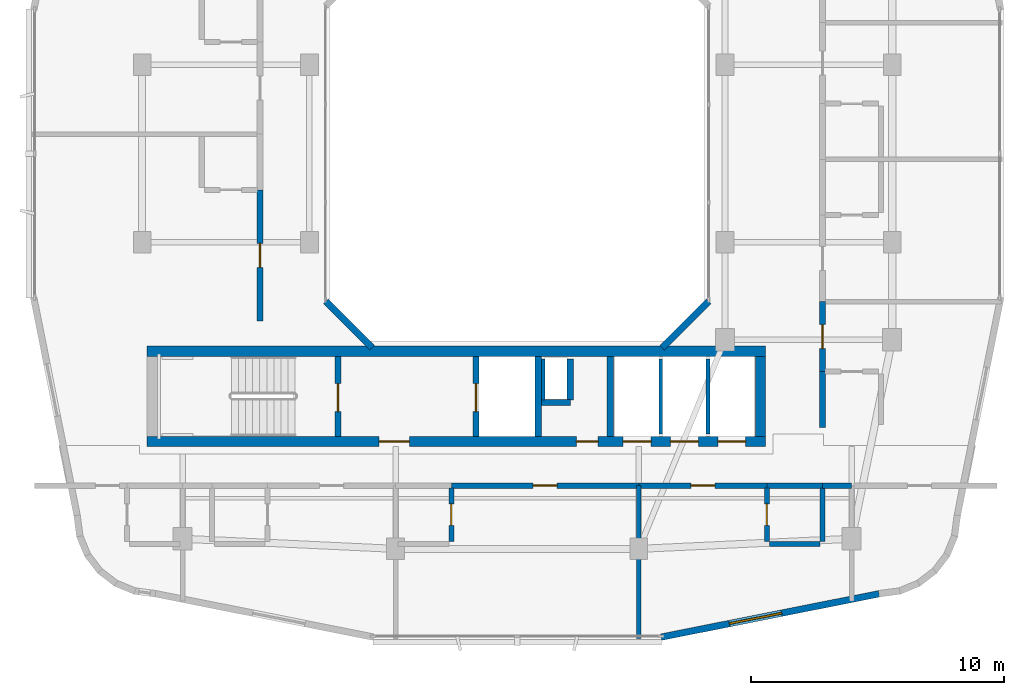
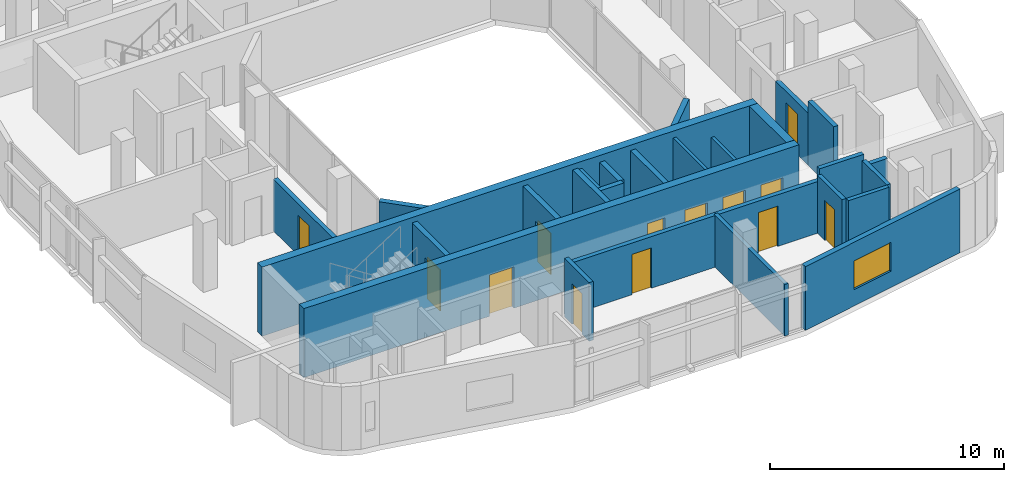
# One storey, part 7 of 14: 27 walls, 13 doors, 1 window, 14 openings.
"""IFC4 building model written with IfcOpenShell, lengths in metres."""

from ifc_helpers import new_model, si_unit, derived_unit, direction, frame, frame_2d, origin, place, context, subcontext, project, spatial, rectangle, extrude, material, layer, layer_set, type_object, element, fill, save


model = new_model("IFC4")

# Units and contexts
model_context = context("Model", 3, precision=1e-05, world=origin(), true_north=direction((0.0, 1.0)))
body_context = subcontext(model_context, "Body", "Model", "MODEL_VIEW")
ifc_project = project(units=[si_unit("LENGTHUNIT", "METRE"), si_unit("AREAUNIT", "SQUARE_METRE"), si_unit("VOLUMEUNIT", "CUBIC_METRE"), si_unit("PLANEANGLEUNIT", "RADIAN"), si_unit("MASSUNIT", "GRAM", prefix="KILO"), derived_unit("THERMALTRANSMITTANCEUNIT", [(si_unit("POWERUNIT", "WATT"), 1), (si_unit("LENGTHUNIT", "METRE"), -2), (si_unit("THERMODYNAMICTEMPERATUREUNIT", "KELVIN"), -1)])], contexts=[model_context])

# Site, building, storey
site_placement = place(None, origin())
site = spatial("IfcSite", under=ifc_project, at=site_placement, CompositionType="ELEMENT")
building_placement = place(site_placement, origin())
building = spatial("IfcBuilding", under=site, at=building_placement, Name="Kivonza Crest Hotel", CompositionType="ELEMENT")
storey_placement = place(building_placement, frame((0.0, 0.0, 224.300048828125)))
storey = spatial("IfcBuildingStorey", under=building, at=storey_placement, Name="L61", CompositionType="ELEMENT", Elevation=224.300048828125)

# Wall
ifc_material_1 = material(Name="High-density acoustic masonry inter-tenancy wall", Category="masonry")
ifc_layer_1 = layer(ifc_material_1, 0.179931640625)
ifc_layer_set_1 = layer_set([ifc_layer_1], Name="High-density acoustic masonry inter-tenancy wall")
wall_type_1 = type_object("IfcWallType", Name="WL-ACOU-180", PredefinedType="SOLIDWALL", material=ifc_layer_set_1)
wall_1_placement = place(storey_placement, frame((25.800048828125, 5.860107421875, 0.0), z_axis=(0.0, 0.0, 1.0), x_axis=(0.0, 1.0, 0.0)))
element("IfcWall", 1, at=wall_1_placement, inside=storey, type_object=wall_type_1, Name="L61 interior partition WA-L61-T1S-DIV3", PredefinedType="SOLIDWALL", context=body_context, shape_type="SweptSolid", body=[
    extrude(rectangle(XDim=6.039794921875, YDim=0.179931640625, at=frame_2d((3.02001953125, 0.0))), origin(), (0.0, 0.0, 1.0), 2.695068359375),
])

# Wall, opening, door
ifc_material_2 = material(Name="Autoclaved aerated concrete blockwork", Category="masonry")
ifc_layer_2 = layer(ifc_material_2, 0.219970703125)
ifc_layer_set_2 = layer_set([ifc_layer_2], Name="Autoclaved aerated concrete blockwork")
wall_type_2 = type_object("IfcWallType", Name="WL-ACOU-220", PredefinedType="SOLIDWALL", material=ifc_layer_set_2)
wall_2_placement = place(storey_placement, frame((18.39990234375, 11.89990234375, 0.0), z_axis=(0.0, 0.0, 1.0), x_axis=(1.0, 0.0, 0.0)))
wall_2 = element("IfcWall", 2, at=wall_2_placement, inside=storey, type_object=wall_type_2, Name="L61 interior partition WA-L61-S07-MCORR", PredefinedType="SOLIDWALL", context=body_context, shape_type="SweptSolid", body=[
    extrude(rectangle(XDim=7.400146484375, YDim=0.219970703125, at=frame_2d((3.7001953125, 0.0))), origin(), (0.0, 0.0, 1.0), 2.695068359375),
])
opening_1_placement = place(wall_2_placement, frame((3.22509765625, 0.0, 0.0)))
opening_1 = element("IfcOpeningElement", 3, at=opening_1_placement, cuts=wall_2, Name="Opening DU-60", PredefinedType="OPENING", context=body_context, shape_type="SweptSolid", body=[
    extrude(rectangle(XDim=0.949951171875, YDim=2.10009765625, at=frame_2d((0.47509765625, 1.050048828125))), frame((0.0, 0.1201171875, 0.0), z_axis=(0.0, -1.0, 0.0), x_axis=(1.0, 0.0, 0.0)), (0.0, 0.0, 1.0), 0.239990234375),
])
ifc_material_3 = material(Name="Hardwood timber oak", Category="wood")
door_type_1 = type_object("IfcDoorType", Name="DR-UNIT-950", OperationType="NOTDEFINED", PredefinedType="DOOR", material=ifc_material_3)
door_1_placement = place(opening_1_placement, frame((0.949951171875, 0.0, 0.0), z_axis=(0.0, 0.0, 1.0), x_axis=(-1.0, 0.0, 0.0)))
door_1 = element("IfcDoor", 4, at=door_1_placement, inside=storey, type_object=door_type_1, Name="L61 S07 guest unit entrance fire door", OperationType="SINGLE_SWING_LEFT", OverallHeight=2.10009765625, OverallWidth=0.949951171875, PredefinedType="DOOR", context=body_context, shape_type="SweptSolid", body=[
    extrude(rectangle(XDim=0.949951171875, YDim=2.10009765625, at=frame_2d((0.47509765625, 1.050048828125))), frame((0.0, 0.02490234375, 0.0), z_axis=(0.0, -1.0, 0.0), x_axis=(1.0, 0.0, 0.0)), (0.0, 0.0, 1.0), 0.050048828125),
])
fill(opening_1, door_1)

# Walls
wall_3_placement = place(storey_placement, frame((33.050048828125, 11.89990234375, 0.0), z_axis=(0.0, 0.0, 1.0), x_axis=(1.0, 0.0, 0.0)))
element("IfcWall", 5, at=wall_3_placement, inside=storey, type_object=wall_type_2, Name="L61 interior partition WA-L61-S08-XCORR", PredefinedType="SOLIDWALL", context=body_context, shape_type="SweptSolid", body=[
    extrude(rectangle(XDim=1.14990234375, YDim=0.219970703125, at=frame_2d((0.574951171875, 0.0))), origin(), (0.0, 0.0, 1.0), 2.695068359375),
])
wall_4_placement = place(storey_placement, frame((30.85009765625, 11.89990234375, 0.0), z_axis=(0.0, 0.0, 1.0), x_axis=(1.0, 0.0, 0.0)))
element("IfcWall", 6, at=wall_4_placement, inside=storey, type_object=wall_type_2, Name="L61 interior partition WA-L61-S08-BCORR", PredefinedType="SOLIDWALL", context=body_context, shape_type="SweptSolid", body=[
    extrude(rectangle(XDim=2.199951171875, YDim=0.219970703125, at=frame_2d((1.10009765625, 0.0))), origin(), (0.0, 0.0, 1.0), 3.320068359375),
])

# Wall, opening, door
wall_5_placement = place(storey_placement, frame((25.800048828125, 11.89990234375, 0.0), z_axis=(0.0, 0.0, 1.0), x_axis=(1.0, 0.0, 0.0)))
wall_5 = element("IfcWall", 7, at=wall_5_placement, inside=storey, type_object=wall_type_2, Name="L61 interior partition WA-L61-S08-MCORR", PredefinedType="SOLIDWALL", context=body_context, shape_type="SweptSolid", body=[
    extrude(rectangle(XDim=5.050048828125, YDim=0.219970703125, at=frame_2d((2.52490234375, 0.0))), origin(), (0.0, 0.0, 1.0), 2.695068359375),
])
opening_2_placement = place(wall_5_placement, frame((2.050048828125, 0.0, 0.0)))
opening_2 = element("IfcOpeningElement", 8, at=opening_2_placement, cuts=wall_5, Name="Opening DU-60", PredefinedType="OPENING", context=body_context, shape_type="SweptSolid", body=[
    extrude(rectangle(XDim=0.949951171875, YDim=2.10009765625, at=frame_2d((0.47509765625, 1.050048828125))), frame((0.0, 0.1201171875, 0.0), z_axis=(0.0, -1.0, 0.0), x_axis=(1.0, 0.0, 0.0)), (0.0, 0.0, 1.0), 0.239990234375),
])
door_2_placement = place(opening_2_placement, frame((0.949951171875, 0.0, 0.0), z_axis=(0.0, 0.0, 1.0), x_axis=(-1.0, 0.0, 0.0)))
door_2 = element("IfcDoor", 9, at=door_2_placement, inside=storey, type_object=door_type_1, Name="L61 S08 guest unit entrance fire door", OperationType="SINGLE_SWING_RIGHT", OverallHeight=2.10009765625, OverallWidth=0.949951171875, PredefinedType="DOOR", context=body_context, shape_type="SweptSolid", body=[
    extrude(rectangle(XDim=0.949951171875, YDim=2.10009765625, at=frame_2d((0.47509765625, 1.050048828125))), frame((0.0, 0.02490234375, 0.0), z_axis=(0.0, -1.0, 0.0), x_axis=(1.0, 0.0, 0.0)), (0.0, 0.0, 1.0), 0.050048828125),
])
fill(opening_2, door_2)

wall_6_placement = place(storey_placement, frame((10.85009765625, 18.39990234375, 0.0), z_axis=(0.0, 0.0, 1.0), x_axis=(0.0, 1.0, 0.0)))
wall_6 = element("IfcWall", 10, at=wall_6_placement, inside=storey, type_object=wall_type_2, Name="L61 interior partition WA-L61-W09-MCORR", PredefinedType="SOLIDWALL", context=body_context, shape_type="SweptSolid", body=[
    extrude(rectangle(XDim=5.170166015625, YDim=0.219970703125, at=frame_2d((2.5849609375, 0.0))), origin(), (0.0, 0.0, 1.0), 2.695068359375),
])
opening_3_placement = place(wall_6_placement, frame((2.110107421875, 0.0, 0.0)))
opening_3 = element("IfcOpeningElement", 11, at=opening_3_placement, cuts=wall_6, Name="Opening DU-60", PredefinedType="OPENING", context=body_context, shape_type="SweptSolid", body=[
    extrude(rectangle(XDim=0.949951171875, YDim=2.10009765625, at=frame_2d((0.47509765625, 1.050048828125))), frame((0.0, 0.1201171875, 0.0), z_axis=(0.0, -1.0, 0.0), x_axis=(1.0, 0.0, 0.0)), (0.0, 0.0, 1.0), 0.239990234375),
])
door_3_placement = place(opening_3_placement, origin())
door_3 = element("IfcDoor", 12, at=door_3_placement, inside=storey, type_object=door_type_1, Name="L61 W09 guest unit entrance fire door", OperationType="SINGLE_SWING_LEFT", OverallHeight=2.10009765625, OverallWidth=0.949951171875, PredefinedType="DOOR", context=body_context, shape_type="SweptSolid", body=[
    extrude(rectangle(XDim=0.949951171875, YDim=2.10009765625, at=frame_2d((0.47509765625, 1.050048828125))), frame((0.0, 0.02490234375, 0.0), z_axis=(0.0, -1.0, 0.0), x_axis=(1.0, 0.0, 0.0)), (0.0, 0.0, 1.0), 0.050048828125),
])
fill(opening_3, door_3)

# Wall
wall_7_placement = place(storey_placement, frame((33.050048828125, 14.199951171875, 0.0), z_axis=(0.0, 0.0, 1.0), x_axis=(0.0, 1.0, 0.0)))
element("IfcWall", 13, at=wall_7_placement, inside=storey, type_object=wall_type_2, Name="L61 interior partition WA-L61-E11-BCORR", PredefinedType="SOLIDWALL", context=body_context, shape_type="SweptSolid", body=[
    extrude(rectangle(XDim=2.199951171875, YDim=0.219970703125, at=frame_2d((1.10009765625, 0.0))), origin(), (0.0, 0.0, 1.0), 3.320068359375),
])

# Wall, opening, door
wall_8_placement = place(storey_placement, frame((33.050048828125, 16.39990234375, 0.0), z_axis=(0.0, 0.0, 1.0), x_axis=(0.0, 1.0, 0.0)))
wall_8 = element("IfcWall", 14, at=wall_8_placement, inside=storey, type_object=wall_type_2, Name="L61 interior partition WA-L61-E11-MCORR", PredefinedType="SOLIDWALL", context=body_context, shape_type="SweptSolid", body=[
    extrude(rectangle(XDim=2.756103515625, YDim=0.219970703125, at=frame_2d((1.3779296875, 0.0))), origin(), (0.0, 0.0, 1.0), 2.695068359375),
])
opening_4_placement = place(wall_8_placement, frame((0.903076171875, 0.0, 0.0)))
opening_4 = element("IfcOpeningElement", 15, at=opening_4_placement, cuts=wall_8, Name="Opening DU-60", PredefinedType="OPENING", context=body_context, shape_type="SweptSolid", body=[
    extrude(rectangle(XDim=0.949951171875, YDim=2.10009765625, at=frame_2d((0.47509765625, 1.050048828125))), frame((0.0, 0.1201171875, 0.0), z_axis=(0.0, -1.0, 0.0), x_axis=(1.0, 0.0, 0.0)), (0.0, 0.0, 1.0), 0.239990234375),
])
door_4_placement = place(opening_4_placement, frame((0.949951171875, 0.0, 0.0), z_axis=(0.0, 0.0, 1.0), x_axis=(-1.0, 0.0, 0.0)))
door_4 = element("IfcDoor", 16, at=door_4_placement, inside=storey, type_object=door_type_1, Name="L61 E11 guest unit entrance fire door", OperationType="SINGLE_SWING_LEFT", OverallHeight=2.10009765625, OverallWidth=0.949951171875, PredefinedType="DOOR", context=body_context, shape_type="SweptSolid", body=[
    extrude(rectangle(XDim=0.949951171875, YDim=2.10009765625, at=frame_2d((0.47509765625, 1.050048828125))), frame((0.0, 0.02490234375, 0.0), z_axis=(0.0, -1.0, 0.0), x_axis=(1.0, 0.0, 0.0)), (0.0, 0.0, 1.0), 0.050048828125),
])
fill(opening_4, door_4)

# Wall, openings, doors
ifc_material_4 = material(Name="Concrete C50/60", Category="concrete")
ifc_layer_3 = layer(ifc_material_4, 0.39990234375)
ifc_layer_set_3 = layer_set([ifc_layer_3], Name="Concrete C50/60")
wall_type_3 = type_object("IfcWallType", Name="WL-CORE-400", PredefinedType="SHEAR", material=ifc_layer_set_3)
wall_9_placement = place(storey_placement, frame((6.39990234375, 13.639892578125, 0.0), z_axis=(0.0, 0.0, 1.0), x_axis=(1.0, 0.0, 0.0)))
wall_9 = element("IfcWall", 17, at=wall_9_placement, inside=storey, type_object=wall_type_3, Name="Core wall T1-S South L61", PredefinedType="SHEAR", context=body_context, shape_type="SweptSolid", body=[
    extrude(rectangle(XDim=24.400146484375, YDim=0.39990234375, at=frame_2d((12.2001953125, 0.0))), origin(), (0.0, 0.0, 1.0), 3.599853515625),
])
opening_5_placement = place(wall_9_placement, frame((9.14990234375, 0.0, 0.0)))
opening_5 = element("IfcOpeningElement", 18, at=opening_5_placement, cuts=wall_9, Name="Opening DF-60", PredefinedType="OPENING", context=body_context, shape_type="SweptSolid", body=[
    extrude(rectangle(XDim=1.199951171875, YDim=2.14990234375, at=frame_2d((0.60009765625, 1.074951171875))), frame((0.0, 0.2099609375, 0.0), z_axis=(0.0, -1.0, 0.0), x_axis=(1.0, 0.0, 0.0)), (0.0, 0.0, 1.0), 0.419921875),
])
opening_6_placement = place(wall_9_placement, frame((16.93994140625, 0.0, 0.0)))
opening_6 = element("IfcOpeningElement", 19, at=opening_6_placement, cuts=wall_9, Name="Opening DF-60R", PredefinedType="OPENING", context=body_context, shape_type="SweptSolid", body=[
    extrude(rectangle(XDim=0.85009765625, YDim=2.10009765625, at=frame_2d((0.425048828125, 1.050048828125))), frame((0.0, 0.2099609375, 0.0), z_axis=(0.0, -1.0, 0.0), x_axis=(1.0, 0.0, 0.0)), (0.0, 0.0, 1.0), 0.419921875),
])
opening_7_placement = place(wall_9_placement, frame((18.782958984375, 0.0, 0.0)))
opening_7 = element("IfcOpeningElement", 20, at=opening_7_placement, cuts=wall_9, Name="Opening LD-120", PredefinedType="OPENING", context=body_context, shape_type="SweptSolid", body=[
    extrude(rectangle(XDim=1.10009765625, YDim=2.14990234375, at=frame_2d((0.550048828125, 1.074951171875))), frame((0.0, 0.2099609375, 0.0), z_axis=(0.0, -1.0, 0.0), x_axis=(1.0, 0.0, 0.0)), (0.0, 0.0, 1.0), 0.419921875),
])
opening_8_placement = place(wall_9_placement, frame((20.64990234375, 0.0, 0.0)))
opening_8 = element("IfcOpeningElement", 21, at=opening_8_placement, cuts=wall_9, Name="Opening LD-120", PredefinedType="OPENING", context=body_context, shape_type="SweptSolid", body=[
    extrude(rectangle(XDim=1.10009765625, YDim=2.14990234375, at=frame_2d((0.550048828125, 1.074951171875))), frame((0.0, 0.2099609375, 0.0), z_axis=(0.0, -1.0, 0.0), x_axis=(1.0, 0.0, 0.0)), (0.0, 0.0, 1.0), 0.419921875),
])
opening_9_placement = place(wall_9_placement, frame((22.51708984375, 0.0, 0.0)))
opening_9 = element("IfcOpeningElement", 22, at=opening_9_placement, cuts=wall_9, Name="Opening LD-120", PredefinedType="OPENING", context=body_context, shape_type="SweptSolid", body=[
    extrude(rectangle(XDim=1.10009765625, YDim=2.14990234375, at=frame_2d((0.550048828125, 1.074951171875))), frame((0.0, 0.2099609375, 0.0), z_axis=(0.0, -1.0, 0.0), x_axis=(1.0, 0.0, 0.0)), (0.0, 0.0, 1.0), 0.419921875),
])
door_type_2 = type_object("IfcDoorType", Name="DR-FD60-1200", OperationType="NOTDEFINED", PredefinedType="DOOR", material=ifc_material_3)
door_5_placement = place(opening_5_placement, frame((1.199951171875, 0.0, 0.0), z_axis=(0.0, 0.0, 1.0), x_axis=(-1.0, 0.0, 0.0)))
door_5 = element("IfcDoor", 23, at=door_5_placement, inside=storey, type_object=door_type_2, Name="L61 T1-S firefighting lobby fire door", OperationType="SINGLE_SWING_LEFT", OverallHeight=2.14990234375, OverallWidth=1.199951171875, PredefinedType="DOOR", context=body_context, shape_type="SweptSolid", body=[
    extrude(rectangle(XDim=1.199951171875, YDim=2.14990234375, at=frame_2d((0.60009765625, 1.074951171875))), frame((0.0, 0.02490234375, 0.0), z_axis=(0.0, -1.0, 0.0), x_axis=(1.0, 0.0, 0.0)), (0.0, 0.0, 1.0), 0.050048828125),
])
fill(opening_5, door_5)
door_type_3 = type_object("IfcDoorType", Name="DR-FD60-850", OperationType="NOTDEFINED", PredefinedType="DOOR", material=ifc_material_3)
door_6_placement = place(opening_6_placement, frame((0.85009765625, 0.0, 0.0), z_axis=(0.0, 0.0, 1.0), x_axis=(-1.0, 0.0, 0.0)))
door_6 = element("IfcDoor", 24, at=door_6_placement, inside=storey, type_object=door_type_3, Name="L61 T1-S core room door", OperationType="SINGLE_SWING_RIGHT", OverallHeight=2.10009765625, OverallWidth=0.85009765625, PredefinedType="DOOR", context=body_context, shape_type="SweptSolid", body=[
    extrude(rectangle(XDim=0.85009765625, YDim=2.10009765625, at=frame_2d((0.425048828125, 1.050048828125))), frame((0.0, 0.02490234375, 0.0), z_axis=(0.0, -1.0, 0.0), x_axis=(1.0, 0.0, 0.0)), (0.0, 0.0, 1.0), 0.050048828125),
])
fill(opening_6, door_6)
ifc_material_5 = material(Name="Stainless steel", Category="steel")
door_type_4 = type_object("IfcDoorType", Name="DR-LD120-1100", OperationType="NOTDEFINED", PredefinedType="DOOR", material=ifc_material_5)
door_7_placement = place(opening_7_placement, frame((1.10009765625, 0.0, 0.0), z_axis=(0.0, 0.0, 1.0), x_axis=(-1.0, 0.0, 0.0)))
door_7 = element("IfcDoor", 25, at=door_7_placement, inside=storey, type_object=door_type_4, Name="L61 PL-T1-H1 passenger lift sliding landing door", OperationType="DOUBLE_DOOR_SLIDING", OverallHeight=2.14990234375, OverallWidth=1.10009765625, PredefinedType="DOOR", context=body_context, shape_type="SweptSolid", body=[
    extrude(rectangle(XDim=1.10009765625, YDim=2.14990234375, at=frame_2d((0.550048828125, 1.074951171875))), frame((0.0, 0.02490234375, 0.0), z_axis=(0.0, -1.0, 0.0), x_axis=(1.0, 0.0, 0.0)), (0.0, 0.0, 1.0), 0.050048828125),
])
fill(opening_7, door_7)
door_8_placement = place(opening_8_placement, frame((1.10009765625, 0.0, 0.0), z_axis=(0.0, 0.0, 1.0), x_axis=(-1.0, 0.0, 0.0)))
door_8 = element("IfcDoor", 26, at=door_8_placement, inside=storey, type_object=door_type_4, Name="L61 PL-T1-H2 passenger lift sliding landing door", OperationType="DOUBLE_DOOR_SLIDING", OverallHeight=2.14990234375, OverallWidth=1.10009765625, PredefinedType="DOOR", context=body_context, shape_type="SweptSolid", body=[
    extrude(rectangle(XDim=1.10009765625, YDim=2.14990234375, at=frame_2d((0.550048828125, 1.074951171875))), frame((0.0, 0.02490234375, 0.0), z_axis=(0.0, -1.0, 0.0), x_axis=(1.0, 0.0, 0.0)), (0.0, 0.0, 1.0), 0.050048828125),
])
fill(opening_8, door_8)
door_9_placement = place(opening_9_placement, frame((1.10009765625, 0.0, 0.0), z_axis=(0.0, 0.0, 1.0), x_axis=(-1.0, 0.0, 0.0)))
door_9 = element("IfcDoor", 27, at=door_9_placement, inside=storey, type_object=door_type_4, Name="L61 PL-T1-H3 passenger lift sliding landing door", OperationType="DOUBLE_DOOR_SLIDING", OverallHeight=2.14990234375, OverallWidth=1.10009765625, PredefinedType="DOOR", context=body_context, shape_type="SweptSolid", body=[
    extrude(rectangle(XDim=1.10009765625, YDim=2.14990234375, at=frame_2d((0.550048828125, 1.074951171875))), frame((0.0, 0.02490234375, 0.0), z_axis=(0.0, -1.0, 0.0), x_axis=(1.0, 0.0, 0.0)), (0.0, 0.0, 1.0), 0.050048828125),
])
fill(opening_9, door_9)

# Walls
wall_10_placement = place(storey_placement, frame((6.39990234375, 17.199951171875, 0.0), z_axis=(0.0, 0.0, 1.0), x_axis=(1.0, 0.0, 0.0)))
element("IfcWall", 28, at=wall_10_placement, inside=storey, type_object=wall_type_3, Name="Core wall T1-S North L61", PredefinedType="SHEAR", context=body_context, shape_type="SweptSolid", body=[
    extrude(rectangle(XDim=24.400146484375, YDim=0.39990234375, at=frame_2d((12.2001953125, 0.0))), origin(), (0.0, 0.0, 1.0), 3.599853515625),
])
wall_11_placement = place(storey_placement, frame((30.60009765625, 13.840087890625, 0.0), z_axis=(0.0, 0.0, 1.0), x_axis=(0.0, 1.0, 0.0)))
element("IfcWall", 29, at=wall_11_placement, inside=storey, type_object=wall_type_3, Name="Core wall T1-S East L61", PredefinedType="SHEAR", context=body_context, shape_type="SweptSolid", body=[
    extrude(rectangle(XDim=3.159912109375, YDim=0.39990234375, at=frame_2d((1.580078125, 0.0))), origin(), (0.0, 0.0, 1.0), 3.599853515625),
])

# Wall, opening, window
ifc_material_6 = material(Name="Precast concrete C40/50", Category="concrete")
ifc_layer_4 = layer(ifc_material_6, 0.260009765625)
ifc_layer_set_4 = layer_set([ifc_layer_4], Name="Precast concrete C40/50")
wall_type_4 = type_object("IfcWallType", Name="WL-EXT-260", PredefinedType="STANDARD", material=ifc_layer_set_4)
wall_12_placement = place(storey_placement, frame((26.680908203125, 5.916015625, 0.0), z_axis=(0.0, 0.0, 1.0), x_axis=(0.980745199176, 0.195291715883, 0.0)))
wall_12 = element("IfcWall", 30, at=wall_12_placement, inside=storey, type_object=wall_type_4, Name="L61 T1 exterior insulated wall 9", PredefinedType="STANDARD", context=body_context, shape_type="SweptSolid", body=[
    extrude(rectangle(XDim=8.77099609375, YDim=0.260009765625, at=frame_2d((4.385498046875, 0.0))), origin(), (0.0, 0.0, 1.0), 3.320068359375),
])
opening_10_placement = place(wall_12_placement, frame((2.74609375, 0.0, 0.85009765625)))
opening_10 = element("IfcOpeningElement", 31, at=opening_10_placement, cuts=wall_12, Name="Opening WN-04", PredefinedType="OPENING", context=body_context, shape_type="SweptSolid", body=[
    extrude(rectangle(XDim=2.10009765625, YDim=1.5, at=frame_2d((1.050048828125, 0.75))), frame((0.0, 0.14013671875, 0.0), z_axis=(0.0, -1.0, 0.0), x_axis=(1.0, 0.0, 0.0)), (0.0, 0.0, 1.0), 0.280029296875),
])
ifc_material_7 = material(Name="Thermally broken bronze aluminium and low-E double glazing", Category="aluminium")
window_type = type_object("IfcWindowType", Name="WN-210x150", PartitioningType="DOUBLE_PANEL_VERTICAL", PredefinedType="WINDOW", material=ifc_material_7)
window_placement = place(opening_10_placement, origin())
window = element("IfcWindow", 32, at=window_placement, inside=storey, type_object=window_type, Name="L61 T1 facade window 9", OverallHeight=1.5, OverallWidth=2.10009765625, PartitioningType="SINGLE_PANEL", PredefinedType="WINDOW", context=body_context, shape_type="SweptSolid", body=[
    extrude(rectangle(XDim=2.10009765625, YDim=1.5, at=frame_2d((1.050048828125, 0.75))), frame((0.0, 0.030029296875, 0.0), z_axis=(0.0, -1.0, 0.0), x_axis=(1.0, 0.0, 0.0)), (0.0, 0.0, 1.0), 0.06005859375),
])
fill(opening_10, window)

# Walls
for number, where, z_axis, x_axis, name in (
    (33, (26.721923828125, 17.337890625, 0.0), (0.0, 0.0, 1.0), (0.707059717605, 0.707153841636, 0.0), "L61 T1 light-well exterior wall 2"),
    (34, (13.444091796875, 19.172119140625, 0.0), (0.0, 0.0, 1.0), (0.707059717605, -0.707153841636, 0.0), "L61 T1 light-well exterior wall 8"),
):
    element("IfcWall", number, at=place(storey_placement, frame(where, z_axis=z_axis, x_axis=x_axis)), inside=storey, type_object=wall_type_4, Name=name, PredefinedType="STANDARD", context=body_context, shape_type="SweptSolid", body=[
        extrude(rectangle(XDim=2.59375, YDim=0.260009765625, at=frame_2d((1.296875, 0.0))), origin(), (0.0, 0.0, 1.0), 3.320068359375),
    ])
ifc_material_8 = material(Name="Concrete blockwork fire-compartment wall", Category="masonry")
ifc_layer_5 = layer(ifc_material_8, 0.25)
ifc_layer_set_5 = layer_set([ifc_layer_5], Name="Concrete blockwork fire-compartment wall")
wall_type_5 = type_object("IfcWallType", Name="WL-FIRE-250", PredefinedType="SOLIDWALL", material=ifc_layer_set_5)
wall_13_placement = place(storey_placement, frame((23.10009765625, 15.280029296875, 0.0), z_axis=(0.0, 0.0, 1.0), x_axis=(0.0, 1.0, 0.0)))
element("IfcWall", 35, at=wall_13_placement, inside=storey, type_object=wall_type_5, Name="L61 interior partition WA-L61-T1-S-MEPR-E", PredefinedType="SOLIDWALL", context=body_context, shape_type="SweptSolid", body=[
    extrude(rectangle(XDim=1.619873046875, YDim=0.25, at=frame_2d((0.81005859375, 0.0))), origin(), (0.0, 0.0, 1.0), 3.320068359375),
])
wall_14_placement = place(storey_placement, frame((21.949951171875, 15.179931640625, 0.0), z_axis=(0.0, 0.0, 1.0), x_axis=(1.0, 0.0, 0.0)))
element("IfcWall", 36, at=wall_14_placement, inside=storey, type_object=wall_type_5, Name="L61 interior partition WA-L61-T1-S-MEPR-H", PredefinedType="SOLIDWALL", context=body_context, shape_type="SweptSolid", body=[
    extrude(rectangle(XDim=1.150146484375, YDim=0.25, at=frame_2d((0.5751953125, 0.0))), origin(), (0.0, 0.0, 1.0), 3.320068359375),
])
ifc_material_9 = material(Name="Twin-stud acoustic gypsum board partition", Category="gypsum")
ifc_layer_6 = layer(ifc_material_9, 0.14990234375)
ifc_layer_set_6 = layer_set([ifc_layer_6], Name="Twin-stud acoustic gypsum board partition")
wall_type_6 = type_object("IfcWallType", Name="WL-PART-150", PredefinedType="PARTITIONING", material=ifc_layer_set_6)
wall_15_placement = place(storey_placement, frame((22.030029296875, 15.280029296875, 0.0), z_axis=(0.0, 0.0, 1.0), x_axis=(0.0, 1.0, 0.0)))
element("IfcWall", 37, at=wall_15_placement, inside=storey, type_object=wall_type_6, Name="L61 interior partition WA-L61-T1-S-MEPR-W", PredefinedType="PARTITIONING", context=body_context, shape_type="SweptSolid", body=[
    extrude(rectangle(XDim=1.619873046875, YDim=0.14990234375, at=frame_2d((0.81005859375, 0.0))), origin(), (0.0, 0.0, 1.0), 3.320068359375),
])
wall_16_placement = place(storey_placement, frame((26.6669921875, 13.93994140625, 0.0), z_axis=(0.0, 0.0, 1.0), x_axis=(0.0, 1.0, 0.0)))
element("IfcWall", 38, at=wall_16_placement, inside=storey, type_object=wall_type_6, Name="L61 interior partition WP-L61-T1-S-BSH-1", PredefinedType="PARTITIONING", context=body_context, shape_type="SweptSolid", body=[
    extrude(rectangle(XDim=2.9599609375, YDim=0.14990234375, at=frame_2d((1.47998046875, 0.0))), origin(), (0.0, 0.0, 1.0), 3.320068359375),
])
wall_17_placement = place(storey_placement, frame((28.532958984375, 13.93994140625, 0.0), z_axis=(0.0, 0.0, 1.0), x_axis=(0.0, 1.0, 0.0)))
element("IfcWall", 39, at=wall_17_placement, inside=storey, type_object=wall_type_6, Name="L61 interior partition WP-L61-T1-S-BSH-2", PredefinedType="PARTITIONING", context=body_context, shape_type="SweptSolid", body=[
    extrude(rectangle(XDim=2.9599609375, YDim=0.14990234375, at=frame_2d((1.47998046875, 0.0))), origin(), (0.0, 0.0, 1.0), 2.695068359375),
])

# Wall, opening, door
ifc_material_10 = material(Name="Moisture-resistant plumbing chase partition wall", Category="gypsum")
ifc_layer_7 = layer(ifc_material_10, 0.199951171875)
ifc_layer_set_7 = layer_set([ifc_layer_7], Name="Moisture-resistant plumbing chase partition wall")
wall_type_7 = type_object("IfcWallType", Name="WL-PLUMB-200", PredefinedType="PLUMBINGWALL", material=ifc_layer_set_7)
wall_18_placement = place(storey_placement, frame((18.39990234375, 9.699951171875, 0.0), z_axis=(0.0, 0.0, 1.0), x_axis=(0.0, 1.0, 0.0)))
wall_18 = element("IfcWall", 40, at=wall_18_placement, inside=storey, type_object=wall_type_7, Name="L61 interior partition WW-L61-S07-BV", PredefinedType="PLUMBINGWALL", context=body_context, shape_type="SweptSolid", body=[
    extrude(rectangle(XDim=2.10009765625, YDim=0.199951171875, at=frame_2d((1.050048828125, 0.0))), origin(), (0.0, 0.0, 1.0), 3.054931640625),
])
opening_11_placement = place(wall_18_placement, frame((0.625, 0.0, 0.0)))
opening_11 = element("IfcOpeningElement", 41, at=opening_11_placement, cuts=wall_18, Name="Opening DI-85", PredefinedType="OPENING", context=body_context, shape_type="SweptSolid", body=[
    extrude(rectangle(XDim=0.85009765625, YDim=2.10009765625, at=frame_2d((0.425048828125, 1.050048828125))), frame((0.0, 0.10986328125, 0.0), z_axis=(0.0, -1.0, 0.0), x_axis=(1.0, 0.0, 0.0)), (0.0, 0.0, 1.0), 0.219970703125),
])
door_type_5 = type_object("IfcDoorType", Name="DR-INT-850", OperationType="NOTDEFINED", PredefinedType="DOOR", material=ifc_material_3)
door_10_placement = place(opening_11_placement, frame((0.85009765625, 0.0, 0.0), z_axis=(0.0, 0.0, 1.0), x_axis=(-1.0, 0.0, 0.0)))
door_10 = element("IfcDoor", 42, at=door_10_placement, inside=storey, type_object=door_type_5, Name="L61 S07 en-suite bathroom door", OperationType="SINGLE_SWING_RIGHT", OverallHeight=2.10009765625, OverallWidth=0.85009765625, PredefinedType="DOOR", context=body_context, shape_type="SweptSolid", body=[
    extrude(rectangle(XDim=0.85009765625, YDim=2.10009765625, at=frame_2d((0.425048828125, 1.050048828125))), frame((0.0, 0.02490234375, 0.0), z_axis=(0.0, -1.0, 0.0), x_axis=(1.0, 0.0, 0.0)), (0.0, 0.0, 1.0), 0.050048828125),
])
fill(opening_11, door_10)

wall_19_placement = place(storey_placement, frame((30.85009765625, 9.699951171875, 0.0), z_axis=(0.0, 0.0, 1.0), x_axis=(0.0, 1.0, 0.0)))
wall_19 = element("IfcWall", 43, at=wall_19_placement, inside=storey, type_object=wall_type_7, Name="L61 interior partition WW-L61-S08-BV", PredefinedType="PLUMBINGWALL", context=body_context, shape_type="SweptSolid", body=[
    extrude(rectangle(XDim=2.10009765625, YDim=0.199951171875, at=frame_2d((1.050048828125, 0.0))), origin(), (0.0, 0.0, 1.0), 3.014892578125),
])
opening_12_placement = place(wall_19_placement, frame((0.625, 0.0, 0.0)))
opening_12 = element("IfcOpeningElement", 44, at=opening_12_placement, cuts=wall_19, Name="Opening DI-85", PredefinedType="OPENING", context=body_context, shape_type="SweptSolid", body=[
    extrude(rectangle(XDim=0.85009765625, YDim=2.10009765625, at=frame_2d((0.425048828125, 1.050048828125))), frame((0.0, 0.10986328125, 0.0), z_axis=(0.0, -1.0, 0.0), x_axis=(1.0, 0.0, 0.0)), (0.0, 0.0, 1.0), 0.219970703125),
])
door_11_placement = place(opening_12_placement, origin())
door_11 = element("IfcDoor", 45, at=door_11_placement, inside=storey, type_object=door_type_5, Name="L61 S08 en-suite bathroom door", OperationType="SINGLE_SWING_LEFT", OverallHeight=2.10009765625, OverallWidth=0.85009765625, PredefinedType="DOOR", context=body_context, shape_type="SweptSolid", body=[
    extrude(rectangle(XDim=0.85009765625, YDim=2.10009765625, at=frame_2d((0.425048828125, 1.050048828125))), frame((0.0, 0.02490234375, 0.0), z_axis=(0.0, -1.0, 0.0), x_axis=(1.0, 0.0, 0.0)), (0.0, 0.0, 1.0), 0.050048828125),
])
fill(opening_12, door_11)

# Walls
wall_20_placement = place(storey_placement, frame((30.949951171875, 9.60009765625, 0.0), z_axis=(0.0, 0.0, 1.0), x_axis=(1.0, 0.0, 0.0)))
element("IfcWall", 46, at=wall_20_placement, inside=storey, type_object=wall_type_7, Name="L61 interior partition WW-L61-S08-BH", PredefinedType="PLUMBINGWALL", context=body_context, shape_type="SweptSolid", body=[
    extrude(rectangle(XDim=2.0, YDim=0.199951171875, at=frame_2d((1.0, 0.0))), origin(), (0.0, 0.0, 1.0), 3.014892578125),
])
wall_21_placement = place(storey_placement, frame((33.050048828125, 9.699951171875, 0.0), z_axis=(0.0, 0.0, 1.0), x_axis=(0.0, 1.0, 0.0)))
element("IfcWall", 47, at=wall_21_placement, inside=storey, type_object=wall_type_7, Name="L61 interior partition WW-L61-S08-BVE", PredefinedType="PLUMBINGWALL", context=body_context, shape_type="SweptSolid", body=[
    extrude(rectangle(XDim=2.10009765625, YDim=0.199951171875, at=frame_2d((1.050048828125, 0.0))), origin(), (0.0, 0.0, 1.0), 3.014892578125),
])

# Wall, opening, door
ifc_layer_8 = layer(ifc_material_4, 0.25)
ifc_layer_set_8 = layer_set([ifc_layer_8], Name="Concrete C50/60")
wall_type_8 = type_object("IfcWallType", Name="WL-SHAFT-250", PredefinedType="STANDARD", material=ifc_layer_set_8)
wall_22_placement = place(storey_placement, frame((13.925048828125, 13.840087890625, 0.0), z_axis=(0.0, 0.0, 1.0), x_axis=(0.0, 1.0, 0.0)))
wall_22 = element("IfcWall", 48, at=wall_22_placement, inside=storey, type_object=wall_type_8, Name="Core shaft wall T1-S STAIR L61", PredefinedType="STANDARD", context=body_context, shape_type="SweptSolid", body=[
    extrude(rectangle(XDim=3.159912109375, YDim=0.25, at=frame_2d((1.580078125, 0.0))), origin(), (0.0, 0.0, 1.0), 3.320068359375),
])
opening_13_placement = place(wall_22_placement, frame((0.97998046875, 0.0, 0.0)))
opening_13 = element("IfcOpeningElement", 49, at=opening_13_placement, cuts=wall_22, Name="Opening DF-120", PredefinedType="OPENING", context=body_context, shape_type="SweptSolid", body=[
    extrude(rectangle(XDim=1.10009765625, YDim=2.14990234375, at=frame_2d((0.550048828125, 1.074951171875))), frame((0.0, 0.135009765625, 0.0), z_axis=(0.0, -1.0, 0.0), x_axis=(1.0, 0.0, 0.0)), (0.0, 0.0, 1.0), 0.27001953125),
])
ifc_material_11 = material(Name="Galvanised steel", Category="steel")
door_type_6 = type_object("IfcDoorType", Name="DR-FD120-1100", OperationType="NOTDEFINED", PredefinedType="DOOR", material=ifc_material_11)
door_12_placement = place(opening_13_placement, frame((1.10009765625, 0.0, 0.0), z_axis=(0.0, 0.0, 1.0), x_axis=(-1.0, 0.0, 0.0)))
door_12 = element("IfcDoor", 50, at=door_12_placement, inside=storey, type_object=door_type_6, Name="L61 T1-S stair fire door", OperationType="SINGLE_SWING_RIGHT", OverallHeight=2.14990234375, OverallWidth=1.10009765625, PredefinedType="DOOR", context=body_context, shape_type="SweptSolid", body=[
    extrude(rectangle(XDim=1.10009765625, YDim=2.14990234375, at=frame_2d((0.550048828125, 1.074951171875))), frame((0.0, 0.02490234375, 0.0), z_axis=(0.0, -1.0, 0.0), x_axis=(1.0, 0.0, 0.0)), (0.0, 0.0, 1.0), 0.050048828125),
])
fill(opening_13, door_12)

wall_23_placement = place(storey_placement, frame((19.375, 13.840087890625, 0.0), z_axis=(0.0, 0.0, 1.0), x_axis=(0.0, 1.0, 0.0)))
wall_23 = element("IfcWall", 51, at=wall_23_placement, inside=storey, type_object=wall_type_8, Name="Core shaft wall T1-S FFL-W L61", PredefinedType="STANDARD", context=body_context, shape_type="SweptSolid", body=[
    extrude(rectangle(XDim=3.159912109375, YDim=0.25, at=frame_2d((1.580078125, 0.0))), origin(), (0.0, 0.0, 1.0), 3.320068359375),
])
opening_14_placement = place(wall_23_placement, frame((0.97998046875, 0.0, 0.0)))
opening_14 = element("IfcOpeningElement", 52, at=opening_14_placement, cuts=wall_23, Name="Opening LD-120", PredefinedType="OPENING", context=body_context, shape_type="SweptSolid", body=[
    extrude(rectangle(XDim=1.10009765625, YDim=2.14990234375, at=frame_2d((0.550048828125, 1.074951171875))), frame((0.0, 0.135009765625, 0.0), z_axis=(0.0, -1.0, 0.0), x_axis=(1.0, 0.0, 0.0)), (0.0, 0.0, 1.0), 0.27001953125),
])
door_13_placement = place(opening_14_placement, origin())
door_13 = element("IfcDoor", 53, at=door_13_placement, inside=storey, type_object=door_type_4, Name="L61 FFL-T1-S firefighting lift sliding landing door", OperationType="DOUBLE_DOOR_SLIDING", OverallHeight=2.14990234375, OverallWidth=1.10009765625, PredefinedType="DOOR", context=body_context, shape_type="SweptSolid", body=[
    extrude(rectangle(XDim=1.10009765625, YDim=2.14990234375, at=frame_2d((0.550048828125, 1.074951171875))), frame((0.0, 0.02490234375, 0.0), z_axis=(0.0, -1.0, 0.0), x_axis=(1.0, 0.0, 0.0)), (0.0, 0.0, 1.0), 0.050048828125),
])
fill(opening_14, door_13)

# Walls
for number, where, z_axis, x_axis, name in (
    (54, (21.824951171875, 13.840087890625, 0.0), (0.0, 0.0, 1.0), (0.0, 1.0, 0.0), "Core shaft wall T1-S FFL-E L61"),
    (55, (24.675048828125, 13.840087890625, 0.0), (0.0, 0.0, 1.0), (0.0, 1.0, 0.0), "Core shaft wall T1-S BANK-W L61"),
):
    element("IfcWall", number, at=place(storey_placement, frame(where, z_axis=z_axis, x_axis=x_axis)), inside=storey, type_object=wall_type_8, Name=name, PredefinedType="STANDARD", context=body_context, shape_type="SweptSolid", body=[
        extrude(rectangle(XDim=3.159912109375, YDim=0.25, at=frame_2d((1.580078125, 0.0))), origin(), (0.0, 0.0, 1.0), 3.320068359375),
    ])

save(model, "model.ifc")
